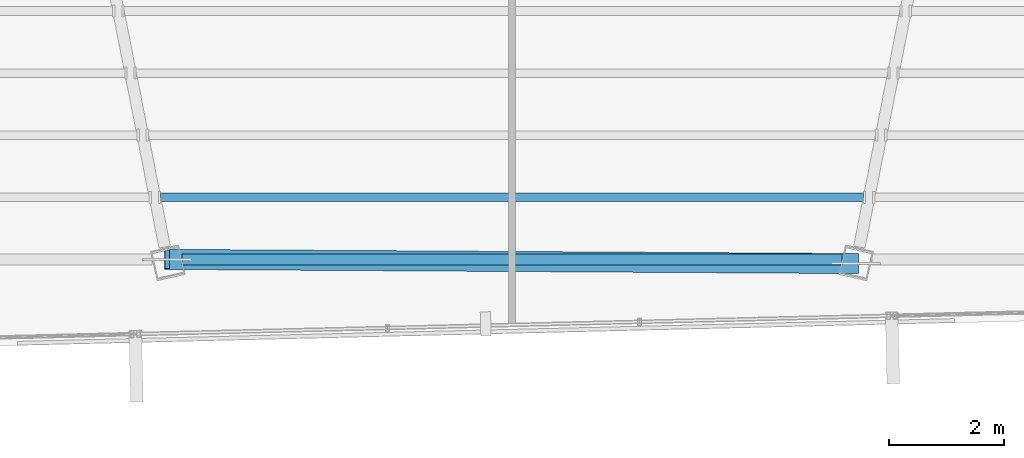
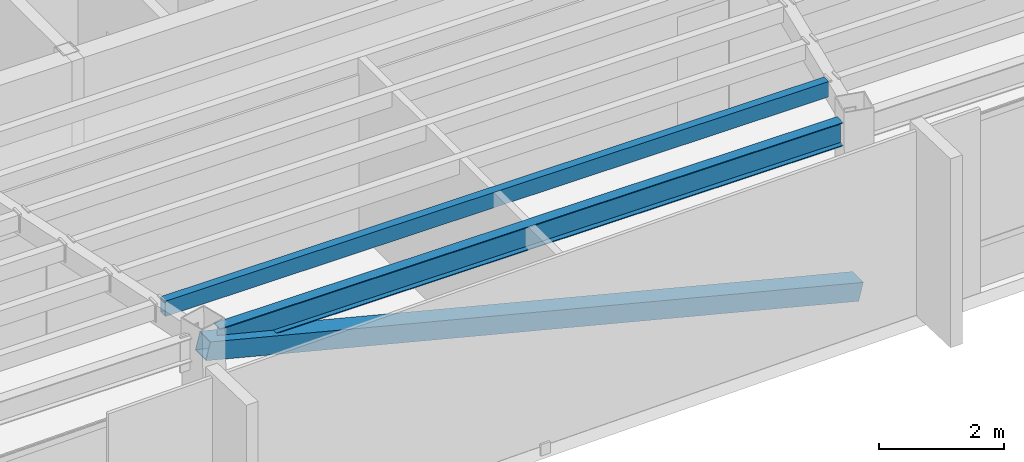
# One storey, part 14 of 48: 2 beams, 1 member.
"""IFC4 building model written with IfcOpenShell, lengths in metres."""

from ifc_helpers import new_model, si_unit, direction, frame, origin, origin_2d, place, context, subcontext, project, spatial, hollow_rectangle, i_section, extrude, source, transform, mapped, material, material_profile, profile_set, type_object, type_shapes, element, save


model = new_model("IFC4")

# Units and contexts
model_context = context("Model", 3, precision=1e-05, world=origin(), true_north=direction((0.0, 1.0)))
body_context = subcontext(model_context, "Body", "Model", "MODEL_VIEW")
ifc_project = project(units=[si_unit("LENGTHUNIT", "METRE"), si_unit("AREAUNIT", "SQUARE_METRE"), si_unit("VOLUMEUNIT", "CUBIC_METRE"), si_unit("PLANEANGLEUNIT", "RADIAN"), si_unit("MASSUNIT", "GRAM", prefix="KILO")], contexts=[model_context])

# Site, building, storey
site_placement = place(None, origin())
site = spatial("IfcSite", under=ifc_project, at=site_placement, CompositionType="ELEMENT")
building_placement = place(site_placement, origin())
building = spatial("IfcBuilding", under=site, at=building_placement, Name="Caelisora Broadcast Tower", CompositionType="ELEMENT")
storey_placement = place(building_placement, frame((0.0, 0.0, 277.300048828125)))
storey = spatial("IfcBuildingStorey", under=building, at=storey_placement, Name="L73", CompositionType="ELEMENT", Elevation=277.300048828125)

# Beams
ifc_material_1 = material(Name="Steel Grade 350 (AS/NZS 3679.1)", Category="steel")
ifc_material_profile_1 = material_profile(ifc_material_1, i_section(OverallWidth=0.19091796875, OverallDepth=0.46044921875, WebThickness=0.010009765625, FlangeThickness=0.01611328125, at=origin_2d()), Name="Steel Grade 350 (AS/NZS 3679.1)")
ifc_profile_set_1 = profile_set([ifc_material_profile_1], Name="Steel Grade 350 (AS/NZS 3679.1)")
beam_type_1 = type_object("IfcBeamType", Name="PG06", PredefinedType="BEAM", material=ifc_profile_set_1)
shared_shape_1 = source(origin(), body_context, "Body", "SweptSolid", [
    extrude(i_section(OverallWidth=0.19091796875, OverallDepth=0.46044921875, WebThickness=0.010009765625, FlangeThickness=0.01611328125, at=origin_2d()), origin(), (0.0, 0.0, 1.0), 11.509765625),
])
type_shapes(beam_type_1, [shared_shape_1])
beam_1_placement = place(storey_placement, frame((32.2451171875, 9.818115234375, 3.169677734375), z_axis=(1.0, 0.0, 0.0), x_axis=(0.0, 1.0, 0.0)))
element("IfcBeam", 1, at=beam_1_placement, inside=storey, type_object=beam_type_1, Name="L73 beam PG06", PredefinedType="BEAM", context=body_context, shape_type="MappedRepresentation", body=[
    mapped(shared_shape_1, transform((0.0, 0.0, 0.0), scale=1.0)),
])
ifc_material_2 = material(Name="Steel Grade 350 (AS/NZS 1163 C350L0)", Category="steel")
ifc_material_profile_2 = material_profile(ifc_material_2, hollow_rectangle(XDim=0.14990234375, YDim=0.300048828125, WallThickness=0.010009765625, at=origin_2d()), Name="Steel Grade 350 (AS/NZS 1163 C350L0)")
ifc_profile_set_2 = profile_set([ifc_material_profile_2], Name="Steel Grade 350 (AS/NZS 1163 C350L0)")
beam_type_2 = type_object("IfcBeamType", Name="SB05", PredefinedType="JOIST", material=ifc_profile_set_2)
shared_shape_2 = source(origin(), body_context, "Body", "SweptSolid", [
    extrude(hollow_rectangle(XDim=0.14990234375, YDim=0.300048828125, WallThickness=0.010009765625, at=origin_2d()), origin(), (0.0, 0.0, 1.0), 12.25634765625),
])
type_shapes(beam_type_2, [shared_shape_2])
beam_2_placement = place(storey_placement, frame((31.871826171875, 10.9013671875, 3.25), z_axis=(1.0, 0.0, 0.0), x_axis=(0.0, 1.0, 0.0)))
element("IfcBeam", 2, at=beam_2_placement, inside=storey, type_object=beam_type_2, Name="L73 beam SB05", PredefinedType="JOIST", context=body_context, shape_type="MappedRepresentation", body=[
    mapped(shared_shape_2, transform((0.0, 0.0, 0.0), scale=1.0)),
])

# Member
ifc_material_3 = material(Name="Steel Grade 450 (AS/NZS 1163 C450L0)", Category="steel")
ifc_material_profile_3 = material_profile(ifc_material_3, hollow_rectangle(XDim=0.35009765625, YDim=0.35009765625, WallThickness=0.012451171875, at=origin_2d()), Name="Steel Grade 450 (AS/NZS 1163 C450L0)")
ifc_profile_set_3 = profile_set([ifc_material_profile_3], Name="Steel Grade 450 (AS/NZS 1163 C450L0)")
member_type = type_object("IfcMemberType", Name="BR05", PredefinedType="BRACE", material=ifc_profile_set_3)
shared_shape_3 = source(origin(), body_context, "Body", "SweptSolid", [
    extrude(hollow_rectangle(XDim=0.35009765625, YDim=0.35009765625, WallThickness=0.012451171875, at=origin_2d()), origin(), (0.0, 0.0, 1.0), 12.38232421875),
])
type_shapes(member_type, [shared_shape_3])
member_placement = place(storey_placement, frame((31.985107421875, 9.818115234375, 3.099853515625), z_axis=(0.970188575637, -0.005836195147, -0.24228096609), x_axis=(0.006015417724, 0.999981907211, 0.0)))
element("IfcMember", 3, at=member_placement, inside=storey, type_object=member_type, Name="L73 perimeter brace BR05", PredefinedType="BRACE", context=body_context, shape_type="MappedRepresentation", body=[
    mapped(shared_shape_3, transform((0.0, 0.0, 0.0), scale=1.0)),
])

save(model, "model.ifc")
